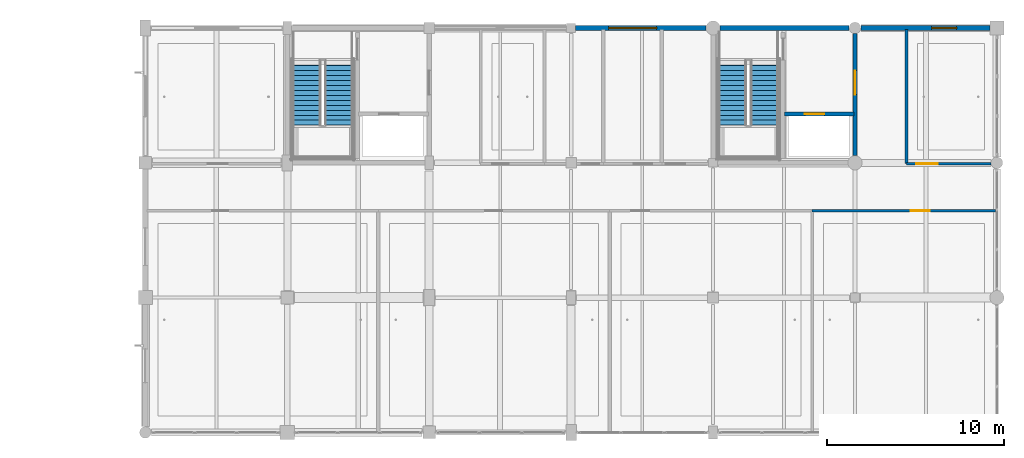
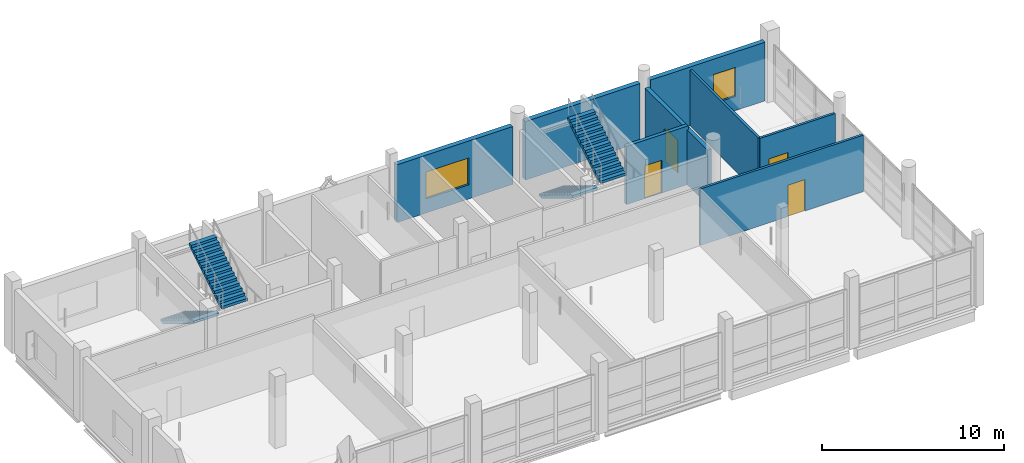
# One storey, part 36 of 46: 8 walls, 4 doors, 4 stair flights, 2 windows, 6 openings, 2 elements without a shape of their own.
"""IFC4 building model written with IfcOpenShell, lengths in metres."""

from ifc_helpers import new_model, si_unit, direction, frame, frame_2d, origin, place, context, subcontext, project, spatial, polyline, rectangle, outline, extrude, material, layer, layer_set, type_object, element, fill, aggregate, save


model = new_model("IFC4")

# Units and contexts
model_context = context("Model", 3, precision=1e-05, world=origin(), true_north=direction((0.0, 1.0)))
body_context = subcontext(model_context, "Body", "Model", "MODEL_VIEW")
ifc_project = project(units=[si_unit("LENGTHUNIT", "METRE"), si_unit("AREAUNIT", "SQUARE_METRE"), si_unit("VOLUMEUNIT", "CUBIC_METRE"), si_unit("PLANEANGLEUNIT", "RADIAN"), si_unit("MASSUNIT", "GRAM", prefix="KILO")], contexts=[model_context])

# Site, building, storey
site_placement = place(None, origin())
site = spatial("IfcSite", under=ifc_project, at=site_placement, CompositionType="ELEMENT")
building_placement = place(site_placement, origin())
building = spatial("IfcBuilding", under=site, at=building_placement, Name="Khelvaren Railside Concert Hall", CompositionType="ELEMENT")
storey_placement = place(building_placement, frame((0.0, 0.0, 19.800048828125)))
storey = spatial("IfcBuildingStorey", under=building, at=storey_placement, Name="L04", CompositionType="ELEMENT", Elevation=19.800048828125)

# Wall, opening, door
ifc_material_1 = material(Name="Concrete C40/50", Category="concrete")
ifc_layer_1 = layer(ifc_material_1, 0.25)
ifc_layer_set_1 = layer_set([ifc_layer_1], Name="Concrete C40/50")
wall_type_1 = type_object("IfcWallType", Name="CW82", PredefinedType="SOLIDWALL", material=ifc_layer_set_1)
wall_1_placement = place(storey_placement, frame((176.0, 106.800048828125, 0.0), z_axis=(0.0, 0.0, 1.0), x_axis=(0.0, 1.0, 0.0)))
wall_1 = element("IfcWall", 1, at=wall_1_placement, inside=storey, type_object=wall_type_1, Name="Core Enclosure Wall CWALL-ST-10-L04-E", PredefinedType="SOLIDWALL", context=body_context, shape_type="SweptSolid", body=[
    extrude(rectangle(XDim=6.875, YDim=0.25, at=frame_2d((3.4375, 0.0))), origin(), (0.0, 0.0, 1.0), 3.6650390625),
])
opening_1_placement = place(wall_1_placement, frame((3.449951171875, 0.0, 0.0)))
opening_1 = element("IfcOpeningElement", 2, at=opening_1_placement, cuts=wall_1, Name="Opening FDR34", PredefinedType="OPENING", context=body_context, shape_type="SweptSolid", body=[
    extrude(rectangle(XDim=1.35009765625, YDim=2.199951171875, at=frame_2d((0.675048828125, 1.10009765625))), frame((0.0, 0.135009765625, 0.0), z_axis=(0.0, -1.0, 0.0), x_axis=(1.0, 0.0, 0.0)), (0.0, 0.0, 1.0), 0.27001953125),
])
ifc_material_2 = material(Name="Acoustic fire-rated timber-core steel frame door", Category="steel")
door_type_1 = type_object("IfcDoorType", Name="FDR34", OperationType="NOTDEFINED", PredefinedType="DOOR", material=ifc_material_2)
door_1_placement = place(opening_1_placement, origin())
door_1 = element("IfcDoor", 3, at=door_1_placement, inside=storey, type_object=door_type_1, Name="Interior Door DR-ST-10-L04-LOB", OperationType="SINGLE_SWING_LEFT", OverallHeight=2.199951171875, OverallWidth=1.35009765625, PredefinedType="DOOR", context=body_context, shape_type="SweptSolid", body=[
    extrude(rectangle(XDim=1.35009765625, YDim=2.199951171875, at=frame_2d((0.675048828125, 1.10009765625))), frame((0.0, 0.02490234375, 0.0), z_axis=(0.0, -1.0, 0.0), x_axis=(1.0, 0.0, 0.0)), (0.0, 0.0, 1.0), 0.050048828125),
])
fill(opening_1, door_1)

ifc_layer_2 = layer(ifc_material_1, 0.219970703125)
ifc_layer_set_2 = layer_set([ifc_layer_2], Name="Concrete C40/50")
wall_type_2 = type_object("IfcWallType", Name="CW97", PredefinedType="SOLIDWALL", material=ifc_layer_set_2)
wall_2_placement = place(storey_placement, frame((172.02001953125, 109.14990234375, 0.0), z_axis=(0.0, 0.0, 1.0), x_axis=(1.0, 0.0, 0.0)))
wall_2 = element("IfcWall", 4, at=wall_2_placement, inside=storey, type_object=wall_type_2, Name="Core Enclosure Wall CWALL-ST-10-L04-SHF", PredefinedType="SOLIDWALL", context=body_context, shape_type="SweptSolid", body=[
    extrude(rectangle(XDim=3.929931640625, YDim=0.219970703125, at=frame_2d((1.96484375, 0.0))), origin(), (0.0, 0.0, 1.0), 3.9150390625),
])
opening_2_placement = place(wall_2_placement, frame((1.14990234375, 0.0, 0.0)))
opening_2 = element("IfcOpeningElement", 5, at=opening_2_placement, cuts=wall_2, Name="Opening LD-FL-01", PredefinedType="OPENING", context=body_context, shape_type="SweptSolid", body=[
    extrude(rectangle(XDim=1.10009765625, YDim=2.199951171875, at=frame_2d((0.550048828125, 1.10009765625))), frame((0.0, 0.119873046875, 0.0), z_axis=(0.0, -1.0, 0.0), x_axis=(1.0, 0.0, 0.0)), (0.0, 0.0, 1.0), 0.239990234375),
])
ifc_material_3 = material(Name="Fire-rated brushed stainless steel landing door", Category="steel")
door_type_2 = type_object("IfcDoorType", Name="LD96", OperationType="DOUBLE_DOOR_SLIDING", PredefinedType="DOOR", material=ifc_material_3)
door_2_placement = place(opening_2_placement, origin())
door_2 = element("IfcDoor", 6, at=door_2_placement, inside=storey, type_object=door_type_2, Name="Lift Landing Door LD-FL-01-L04", OperationType="DOUBLE_DOOR_SLIDING", OverallHeight=2.199951171875, OverallWidth=1.10009765625, PredefinedType="DOOR", context=body_context, shape_type="SweptSolid", body=[
    extrude(rectangle(XDim=1.10009765625, YDim=2.199951171875, at=frame_2d((0.550048828125, 1.10009765625))), frame((0.0, 0.02490234375, 0.0), z_axis=(0.0, -1.0, 0.0), x_axis=(1.0, 0.0, 0.0)), (0.0, 0.0, 1.0), 0.050048828125),
])
fill(opening_2, door_2)

# Wall, opening, window
ifc_material_4 = material(Name="Board-marked architectural concrete C40/50", Category="concrete")
ifc_layer_3 = layer(ifc_material_4, 0.300048828125)
ifc_layer_set_3 = layer_set([ifc_layer_3], Name="Board-marked architectural concrete C40/50")
wall_type_3 = type_object("IfcWallType", Name="EW54", PredefinedType="SOLIDWALL", material=ifc_layer_set_3)
wall_3_placement = place(storey_placement, frame((160.25, 114.0, 0.0), z_axis=(0.0, 0.0, 1.0), x_axis=(1.0, 0.0, 0.0)))
wall_3 = element("IfcWall", 7, at=wall_3_placement, inside=storey, type_object=wall_type_3, Name="V5 L04 Exterior Concrete Wall N-160", PredefinedType="SOLIDWALL", context=body_context, shape_type="SweptSolid", body=[
    extrude(rectangle(XDim=7.35009765625, YDim=0.300048828125, at=frame_2d((3.675048828125, 0.0))), origin(), (0.0, 0.0, 1.0), 3.8798828125),
])
opening_3_placement = place(wall_3_placement, frame((1.863525390625, 0.0, 0.949951171875)))
opening_3 = element("IfcOpeningElement", 8, at=opening_3_placement, cuts=wall_3, Name="Opening WN39", PredefinedType="OPENING", context=body_context, shape_type="SweptSolid", body=[
    extrude(rectangle(XDim=2.699951171875, YDim=1.800048828125, at=frame_2d((1.35009765625, 0.89990234375))), frame((0.0, 0.159912109375, 0.0), z_axis=(0.0, -1.0, 0.0), x_axis=(1.0, 0.0, 0.0)), (0.0, 0.0, 1.0), 0.320068359375),
])
ifc_material_5 = material(Name="Triple-glazed acoustic aluminium window", Category="aluminium")
window_type_1 = type_object("IfcWindowType", Name="WN39", PartitioningType="DOUBLE_PANEL_VERTICAL", PredefinedType="WINDOW", material=ifc_material_5)
window_1_placement = place(opening_3_placement, origin())
window_1 = element("IfcWindow", 9, at=window_1_placement, inside=storey, type_object=window_type_1, Name="Acoustic Facade Window EW-V5-L04-N-160", OverallHeight=1.800048828125, OverallWidth=2.699951171875, PartitioningType="DOUBLE_PANEL_VERTICAL", PredefinedType="WINDOW", context=body_context, shape_type="SweptSolid", body=[
    extrude(rectangle(XDim=2.699951171875, YDim=1.800048828125, at=frame_2d((1.35009765625, 0.89990234375))), frame((0.0, 0.030029296875, 0.0), z_axis=(0.0, -1.0, 0.0), x_axis=(1.0, 0.0, 0.0)), (0.0, 0.0, 1.0), 0.06005859375),
])
fill(opening_3, window_1)

# Wall
wall_4_placement = place(storey_placement, frame((168.39990234375, 114.0, 0.0), z_axis=(0.0, 0.0, 1.0), x_axis=(1.0, 0.0, 0.0)))
element("IfcWall", 10, at=wall_4_placement, inside=storey, type_object=wall_type_3, Name="V5 L04 Exterior Concrete Wall N-168", PredefinedType="SOLIDWALL", context=body_context, shape_type="SweptSolid", body=[
    extrude(rectangle(XDim=7.275146484375, YDim=0.300048828125, at=frame_2d((3.6376953125, 0.0))), origin(), (0.0, 0.0, 1.0), 3.929931640625),
])

# Wall, opening, window
wall_5_placement = place(storey_placement, frame((176.324951171875, 114.0, 0.0), z_axis=(0.0, 0.0, 1.0), x_axis=(1.0, 0.0, 0.0)))
wall_5 = element("IfcWall", 11, at=wall_5_placement, inside=storey, type_object=wall_type_3, Name="V5 L04 Exterior Concrete Wall N-176", PredefinedType="SOLIDWALL", context=body_context, shape_type="SweptSolid", body=[
    extrude(rectangle(XDim=7.275146484375, YDim=0.300048828125, at=frame_2d((3.6376953125, 0.0))), origin(), (0.0, 0.0, 1.0), 3.929931640625),
])
opening_4_placement = place(wall_5_placement, frame((4.0, 0.0, 0.949951171875)))
opening_4 = element("IfcOpeningElement", 12, at=opening_4_placement, cuts=wall_5, Name="Opening WN97", PredefinedType="OPENING", context=body_context, shape_type="SweptSolid", body=[
    extrude(rectangle(XDim=1.39990234375, YDim=1.949951171875, at=frame_2d((0.699951171875, 0.97509765625))), frame((0.0, 0.159912109375, 0.0), z_axis=(0.0, -1.0, 0.0), x_axis=(1.0, 0.0, 0.0)), (0.0, 0.0, 1.0), 0.320068359375),
])
window_type_2 = type_object("IfcWindowType", Name="WN97", PartitioningType="SINGLE_PANEL", PredefinedType="WINDOW", material=ifc_material_5)
window_2_placement = place(opening_4_placement, origin())
window_2 = element("IfcWindow", 13, at=window_2_placement, inside=storey, type_object=window_type_2, Name="Acoustic Facade Window EW-V5-L04-N-176", OverallHeight=1.949951171875, OverallWidth=1.39990234375, PartitioningType="SINGLE_PANEL", PredefinedType="WINDOW", context=body_context, shape_type="SweptSolid", body=[
    extrude(rectangle(XDim=1.39990234375, YDim=1.949951171875, at=frame_2d((0.699951171875, 0.97509765625))), frame((0.0, 0.030029296875, 0.0), z_axis=(0.0, -1.0, 0.0), x_axis=(1.0, 0.0, 0.0)), (0.0, 0.0, 1.0), 0.06005859375),
])
fill(opening_4, window_2)

# Wall, opening, door
ifc_material_6 = material(Name="Acoustic double-stud gypsum partition", Category="gypsum")
ifc_layer_4 = layer(ifc_material_6, 0.14990234375)
ifc_layer_set_4 = layer_set([ifc_layer_4], Name="Acoustic double-stud gypsum partition")
wall_type_4 = type_object("IfcWallType", Name="PT72", PredefinedType="PARTITIONING", material=ifc_layer_set_4)
wall_6_placement = place(storey_placement, frame((173.590087890625, 103.699951171875, 0.0), z_axis=(0.0, 0.0, 1.0), x_axis=(1.0, 0.0, 0.0)))
wall_6 = element("IfcWall", 14, at=wall_6_placement, inside=storey, type_object=wall_type_4, Name="Acoustic Partition Wall PW-V5-L04-S-C04", PredefinedType="PARTITIONING", context=body_context, shape_type="SweptSolid", body=[
    extrude(rectangle(XDim=10.329833984375, YDim=0.14990234375, at=frame_2d((5.1650390625, 0.0))), origin(), (0.0, 0.0, 1.0), 3.7900390625),
])
opening_5_placement = place(wall_6_placement, frame((5.553955078125, 0.0, 0.0)))
opening_5 = element("IfcOpeningElement", 15, at=opening_5_placement, cuts=wall_6, Name="Opening IDR70", PredefinedType="OPENING", context=body_context, shape_type="SweptSolid", body=[
    extrude(rectangle(XDim=1.080078125, YDim=2.10009765625, at=frame_2d((0.5400390625, 1.050048828125))), frame((0.0, 0.0849609375, 0.0), z_axis=(0.0, -1.0, 0.0), x_axis=(1.0, 0.0, 0.0)), (0.0, 0.0, 1.0), 0.169921875),
])
ifc_material_7 = material(Name="Solid oak acoustic studio door", Category="wood")
door_type_3 = type_object("IfcDoorType", Name="IDR70", OperationType="NOTDEFINED", PredefinedType="DOOR", material=ifc_material_7)
door_3_placement = place(opening_5_placement, origin())
door_3 = element("IfcDoor", 16, at=door_3_placement, inside=storey, type_object=door_type_3, Name="Interior Door DR-V5-L04-S-04", OperationType="SINGLE_SWING_LEFT", OverallHeight=2.10009765625, OverallWidth=1.080078125, PredefinedType="DOOR", context=body_context, shape_type="SweptSolid", body=[
    extrude(rectangle(XDim=1.080078125, YDim=2.10009765625, at=frame_2d((0.5400390625, 1.050048828125))), frame((0.0, 0.02490234375, 0.0), z_axis=(0.0, -1.0, 0.0), x_axis=(1.0, 0.0, 0.0)), (0.0, 0.0, 1.0), 0.050048828125),
])
fill(opening_5, door_3)

wall_7_placement = place(storey_placement, frame((178.89990234375, 106.35009765625, 0.0), z_axis=(0.0, 0.0, 1.0), x_axis=(1.0, 0.0, 0.0)))
wall_7 = element("IfcWall", 17, at=wall_7_placement, inside=storey, type_object=wall_type_4, Name="Acoustic Partition Wall PW-V5-L04-NE-C01", PredefinedType="PARTITIONING", context=body_context, shape_type="SweptSolid", body=[
    extrude(rectangle(XDim=4.775146484375, YDim=0.14990234375, at=frame_2d((2.3876953125, 0.0))), origin(), (0.0, 0.0, 1.0), 3.71484375),
])
opening_6_placement = place(wall_7_placement, frame((0.553466796875, 0.0, 0.0)))
opening_6 = element("IfcOpeningElement", 18, at=opening_6_placement, cuts=wall_7, Name="Opening IDR44", PredefinedType="OPENING", context=body_context, shape_type="SweptSolid", body=[
    extrude(rectangle(XDim=1.219970703125, YDim=2.14990234375, at=frame_2d((0.60986328125, 1.074951171875))), frame((0.0, 0.0849609375, 0.0), z_axis=(0.0, -1.0, 0.0), x_axis=(1.0, 0.0, 0.0)), (0.0, 0.0, 1.0), 0.169921875),
])
door_type_4 = type_object("IfcDoorType", Name="IDR44", OperationType="NOTDEFINED", PredefinedType="DOOR", material=ifc_material_7)
door_4_placement = place(opening_6_placement, origin())
door_4 = element("IfcDoor", 19, at=door_4_placement, inside=storey, type_object=door_type_4, Name="Interior Door DR-V5-L04-NE-01", OperationType="SINGLE_SWING_LEFT", OverallHeight=2.14990234375, OverallWidth=1.219970703125, PredefinedType="DOOR", context=body_context, shape_type="SweptSolid", body=[
    extrude(rectangle(XDim=1.219970703125, YDim=2.14990234375, at=frame_2d((0.60986328125, 1.074951171875))), frame((0.0, 0.02490234375, 0.0), z_axis=(0.0, -1.0, 0.0), x_axis=(1.0, 0.0, 0.0)), (0.0, 0.0, 1.0), 0.050048828125),
])
fill(opening_6, door_4)

# Wall
wall_8_placement = place(storey_placement, frame((178.89990234375, 106.35009765625, 0.0), z_axis=(0.0, 0.0, 1.0), x_axis=(0.0, 1.0, 0.0)))
element("IfcWall", 20, at=wall_8_placement, inside=storey, type_object=wall_type_4, Name="Acoustic Partition Wall PW-V5-L04-NE-W0", PredefinedType="PARTITIONING", context=body_context, shape_type="SweptSolid", body=[
    extrude(rectangle(XDim=7.56982421875, YDim=0.14990234375, at=frame_2d((3.784912109375, 0.0))), origin(), (0.0, 0.0, 1.0), 3.71484375),
])

# Stair, stair flights
stair_type = type_object("IfcStairType", Name="ST52", PredefinedType="HALF_TURN_STAIR", material=ifc_material_1)
stair_1_placement = place(storey_placement, origin())
stair_1 = element("IfcStair", 21, at=stair_1_placement, inside=storey, type_object=stair_type, Name="L04 Core Exit Stair ST-09", PredefinedType="HALF_TURN_STAIR")
stair_flight_type = type_object("IfcStairFlightType", Name="STF21", PredefinedType="STRAIGHT", material=ifc_material_1)
stair_flight_1_placement = place(storey_placement, frame((145.10009765625, 112.159912109375, 0.0), z_axis=(0.0, 0.0, 1.0), x_axis=(0.0, -1.0, 0.0)))
stair_flight_1 = element("IfcStairFlight", 22, at=stair_flight_1_placement, type_object=stair_flight_type, Name="ST-09 flight 1", NumberOfRisers=14, NumberOfTreads=13, PredefinedType="STRAIGHT", RiserHeight=0.171428571, TreadLength=0.28, context=body_context, shape_type="SweptSolid", body=[
    extrude(outline(polyline([(0.0, 0.0), (0.0, 0.17138671875), (0.280029296875, 0.17138671875), (0.280029296875, 0.3427734375), (0.56005859375, 0.3427734375), (0.56005859375, 0.514404296875), (0.840087890625, 0.514404296875), (0.840087890625, 0.685791015625), (1.1201171875, 0.685791015625), (1.1201171875, 0.857177734375), (1.39990234375, 0.857177734375), (1.39990234375, 1.028564453125), (1.679931640625, 1.028564453125), (1.679931640625, 1.199951171875), (1.9599609375, 1.199951171875), (1.9599609375, 1.371337890625), (2.239990234375, 1.371337890625), (2.239990234375, 1.54296875), (2.52001953125, 1.54296875), (2.52001953125, 1.71435546875), (2.800048828125, 1.71435546875), (2.800048828125, 1.8857421875), (3.080078125, 1.8857421875), (3.080078125, 2.05712890625), (3.360107421875, 2.05712890625), (3.360107421875, 2.228515625), (3.639892578125, 2.228515625), (3.639892578125, 2.39990234375), (3.639892578125, 2.052734375), (0.287109375, 0.0), (0.0, 0.0)])), frame((0.0, 0.800048828125, 0.0), z_axis=(0.0, -1.0, 0.0), x_axis=(1.0, 0.0, 0.0)), (0.0, 0.0, 1.0), 1.60009765625),
])
stair_flight_2_placement = place(storey_placement, frame((146.89990234375, 108.52001953125, 2.39990234375), z_axis=(0.0, 0.0, 1.0), x_axis=(0.0, 1.0, 0.0)))
stair_flight_2 = element("IfcStairFlight", 23, at=stair_flight_2_placement, type_object=stair_flight_type, Name="ST-09 flight 2", NumberOfRisers=14, NumberOfTreads=13, PredefinedType="STRAIGHT", RiserHeight=0.171428571, TreadLength=0.28, context=body_context, shape_type="SweptSolid", body=[
    extrude(outline(polyline([(0.0, 0.0), (0.0, 0.17138671875), (0.280029296875, 0.17138671875), (0.280029296875, 0.3427734375), (0.56005859375, 0.3427734375), (0.56005859375, 0.514404296875), (0.840087890625, 0.514404296875), (0.840087890625, 0.685791015625), (1.1201171875, 0.685791015625), (1.1201171875, 0.857177734375), (1.39990234375, 0.857177734375), (1.39990234375, 1.028564453125), (1.679931640625, 1.028564453125), (1.679931640625, 1.199951171875), (1.9599609375, 1.199951171875), (1.9599609375, 1.371337890625), (2.239990234375, 1.371337890625), (2.239990234375, 1.54296875), (2.52001953125, 1.54296875), (2.52001953125, 1.71435546875), (2.800048828125, 1.71435546875), (2.800048828125, 1.8857421875), (3.080078125, 1.8857421875), (3.080078125, 2.05712890625), (3.360107421875, 2.05712890625), (3.360107421875, 2.228515625), (3.639892578125, 2.228515625), (3.639892578125, 2.39990234375), (3.639892578125, 2.052734375), (0.287109375, 0.0), (0.0, 0.0)])), frame((0.0, 0.800048828125, 0.0), z_axis=(0.0, -1.0, 0.0), x_axis=(1.0, 0.0, 0.0)), (0.0, 0.0, 1.0), 1.60009765625),
])
aggregate(stair_1, [stair_flight_1, stair_flight_2])

stair_2_placement = place(storey_placement, origin())
stair_2 = element("IfcStair", 24, at=stair_2_placement, inside=storey, type_object=stair_type, Name="L04 Core Exit Stair ST-10", PredefinedType="HALF_TURN_STAIR")
stair_flight_3_placement = place(storey_placement, frame((169.10009765625, 112.159912109375, 0.0), z_axis=(0.0, 0.0, 1.0), x_axis=(0.0, -1.0, 0.0)))
stair_flight_3 = element("IfcStairFlight", 25, at=stair_flight_3_placement, type_object=stair_flight_type, Name="ST-10 flight 1", NumberOfRisers=14, NumberOfTreads=13, PredefinedType="STRAIGHT", RiserHeight=0.171428571, TreadLength=0.28, context=body_context, shape_type="SweptSolid", body=[
    extrude(outline(polyline([(0.0, 0.0), (0.0, 0.17138671875), (0.280029296875, 0.17138671875), (0.280029296875, 0.3427734375), (0.56005859375, 0.3427734375), (0.56005859375, 0.514404296875), (0.840087890625, 0.514404296875), (0.840087890625, 0.685791015625), (1.1201171875, 0.685791015625), (1.1201171875, 0.857177734375), (1.39990234375, 0.857177734375), (1.39990234375, 1.028564453125), (1.679931640625, 1.028564453125), (1.679931640625, 1.199951171875), (1.9599609375, 1.199951171875), (1.9599609375, 1.371337890625), (2.239990234375, 1.371337890625), (2.239990234375, 1.54296875), (2.52001953125, 1.54296875), (2.52001953125, 1.71435546875), (2.800048828125, 1.71435546875), (2.800048828125, 1.8857421875), (3.080078125, 1.8857421875), (3.080078125, 2.05712890625), (3.360107421875, 2.05712890625), (3.360107421875, 2.228515625), (3.639892578125, 2.228515625), (3.639892578125, 2.39990234375), (3.639892578125, 2.052734375), (0.287109375, 0.0), (0.0, 0.0)])), frame((0.0, 0.800048828125, 0.0), z_axis=(0.0, -1.0, 0.0), x_axis=(1.0, 0.0, 0.0)), (0.0, 0.0, 1.0), 1.60009765625),
])
stair_flight_4_placement = place(storey_placement, frame((170.89990234375, 108.52001953125, 2.39990234375), z_axis=(0.0, 0.0, 1.0), x_axis=(0.0, 1.0, 0.0)))
stair_flight_4 = element("IfcStairFlight", 26, at=stair_flight_4_placement, type_object=stair_flight_type, Name="ST-10 flight 2", NumberOfRisers=14, NumberOfTreads=13, PredefinedType="STRAIGHT", RiserHeight=0.171428571, TreadLength=0.28, context=body_context, shape_type="SweptSolid", body=[
    extrude(outline(polyline([(0.0, 0.0), (0.0, 0.17138671875), (0.280029296875, 0.17138671875), (0.280029296875, 0.3427734375), (0.56005859375, 0.3427734375), (0.56005859375, 0.514404296875), (0.840087890625, 0.514404296875), (0.840087890625, 0.685791015625), (1.1201171875, 0.685791015625), (1.1201171875, 0.857177734375), (1.39990234375, 0.857177734375), (1.39990234375, 1.028564453125), (1.679931640625, 1.028564453125), (1.679931640625, 1.199951171875), (1.9599609375, 1.199951171875), (1.9599609375, 1.371337890625), (2.239990234375, 1.371337890625), (2.239990234375, 1.54296875), (2.52001953125, 1.54296875), (2.52001953125, 1.71435546875), (2.800048828125, 1.71435546875), (2.800048828125, 1.8857421875), (3.080078125, 1.8857421875), (3.080078125, 2.05712890625), (3.360107421875, 2.05712890625), (3.360107421875, 2.228515625), (3.639892578125, 2.228515625), (3.639892578125, 2.39990234375), (3.639892578125, 2.052734375), (0.287109375, 0.0), (0.0, 0.0)])), frame((0.0, 0.800048828125, 0.0), z_axis=(0.0, -1.0, 0.0), x_axis=(1.0, 0.0, 0.0)), (0.0, 0.0, 1.0), 1.60009765625),
])
aggregate(stair_2, [stair_flight_3, stair_flight_4])

save(model, "model.ifc")
